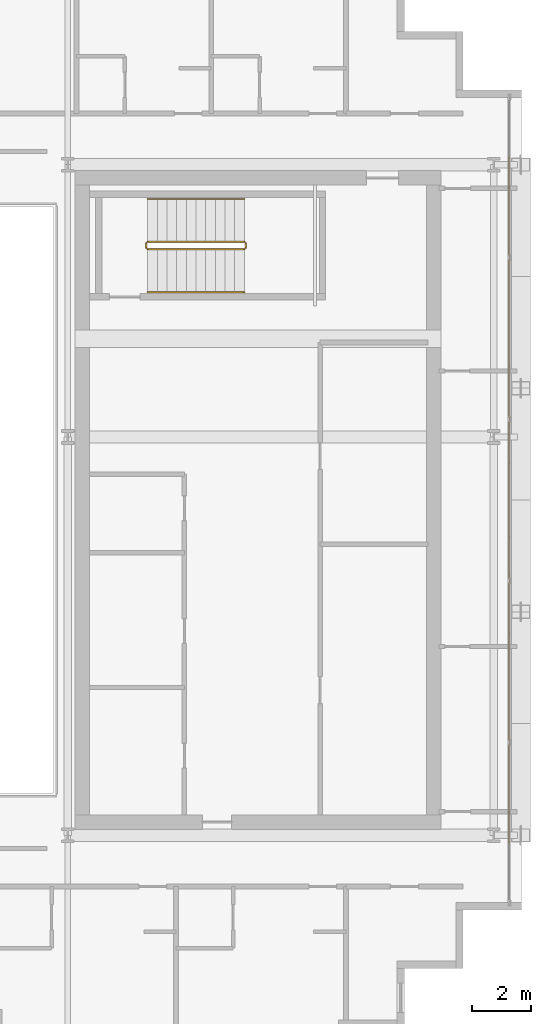
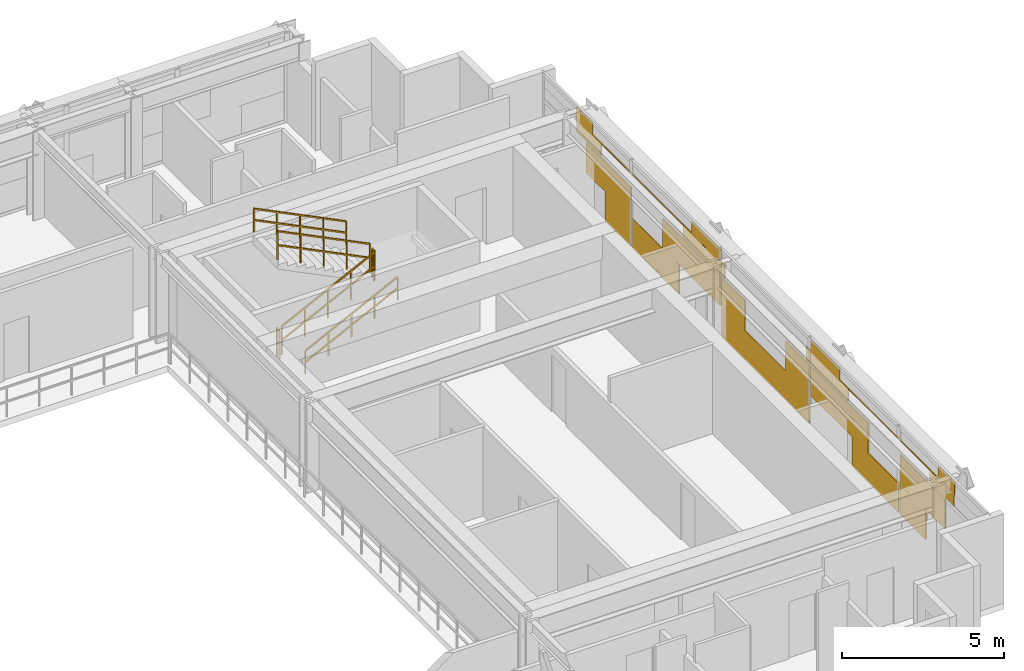
# One storey, part 31 of 32: 6 railings, 1 covering.
"""IFC4 building model written with IfcOpenShell, lengths in metres."""

import ifcopenshell
import ifcopenshell.guid

model = None  # the IFC model being written
_history = None  # IfcOwnerHistory: only IFC2X3 demands one
_inside = {}  # id of a spatial element -> (the spatial element, [elements in it])
_under = {}  # id of a project, library or spatial element -> (it, [spatial elements below it])
_declared = {}  # id of a project -> (the project, [libraries it declares])
_typed = {}  # id of a type object -> (the type object, [elements of that type])
_made_of = {}  # id of a material, layer set ... -> (it, [elements and type objects made of it])


def new_model(schema):
    """Start an empty IFC model of exactly this schema.

    Asked for "IFC4X3", IfcOpenShell would pick the latest addendum, in which some entities
    have other attributes; the version numbers below select the first issue.
    IFC2X3 requires an IfcOwnerHistory on every rooted entity: one is made here for all.
    """
    global model, _history
    if schema == "IFC4X3":
        model = ifcopenshell.file(schema_version=(4, 3, 0, 0))
    else:
        model = ifcopenshell.file(schema=schema)
    _inside.clear()
    _under.clear()
    _declared.clear()
    _typed.clear()
    _made_of.clear()
    _history = None
    if model.schema == "IFC2X3":
        org = make("IfcOrganization", Name="unknown")
        user = make(
            "IfcPersonAndOrganization",
            ThePerson=make("IfcPerson", FamilyName="unknown"),
            TheOrganization=org,
        )
        app = make(
            "IfcApplication",
            ApplicationDeveloper=org,
            Version="unknown",
            ApplicationFullName="unknown",
            ApplicationIdentifier="unknown",
        )
        _history = make(
            "IfcOwnerHistory",
            OwningUser=user,
            OwningApplication=app,
            ChangeAction="ADDED",
            CreationDate=0,
        )
    return model


def make(cls, **values):
    """One entity of the class cls with the attributes given. An attribute that is None is left unset."""
    return model.create_entity(
        cls, **{name: value for name, value in values.items() if value is not None}
    )


def rooted(cls, **values):
    """An entity with a GlobalId (a new one), such as an element, a storey or a relation."""
    return make(cls, GlobalId=ifcopenshell.guid.new(), OwnerHistory=_history, **values)


def si_unit(unit_type, name, prefix=None):
    """IfcSIUnit, for example si_unit("LENGTHUNIT", "METRE", prefix="MILLI")."""
    return make("IfcSIUnit", UnitType=unit_type, Prefix=prefix, Name=name)


def assignment(units):
    """IfcUnitAssignment: the units of a project."""
    return None if units is None else make("IfcUnitAssignment", Units=units)


def point(xyz):
    """IfcCartesianPoint."""
    return None if xyz is None else make("IfcCartesianPoint", Coordinates=xyz)


def direction(xyz):
    """IfcDirection."""
    return None if xyz is None else make("IfcDirection", DirectionRatios=xyz)


def frame(location, z_axis=None, x_axis=None):
    """IfcAxis2Placement3D, a coordinate frame: its origin and axes. An axis left out is left unset."""
    return make(
        "IfcAxis2Placement3D",
        Location=point(location),
        Axis=direction(z_axis),
        RefDirection=direction(x_axis),
    )


def frame_2d(location, x_axis=None):
    """IfcAxis2Placement2D, a coordinate frame in the plane: its origin and x axis."""
    return make(
        "IfcAxis2Placement2D", Location=point(location), RefDirection=direction(x_axis)
    )


def origin():
    """The frame at (0, 0, 0) with its axes left unset."""
    return frame((0.0, 0.0, 0.0))


def origin_2d():
    """The frame at (0, 0) in the plane with its x axis left unset."""
    return frame_2d((0.0, 0.0))


def place(relative_to, where):
    """IfcLocalPlacement: puts the frame where relative to a parent placement (None: the world)."""
    return make(
        "IfcLocalPlacement", PlacementRelTo=relative_to, RelativePlacement=where
    )


def context(
    kind, dimensions, precision=None, world=None, true_north=None, identifier=None
):
    """IfcGeometricRepresentationContext, for example the 3D "Model" context."""
    return make(
        "IfcGeometricRepresentationContext",
        ContextIdentifier=identifier,
        ContextType=kind,
        CoordinateSpaceDimension=dimensions,
        Precision=precision,
        WorldCoordinateSystem=world,
        TrueNorth=true_north,
    )


def subcontext(parent, identifier, kind, view, scale=None):
    """IfcGeometricRepresentationSubContext, for example "Body" below "Model"."""
    return make(
        "IfcGeometricRepresentationSubContext",
        ContextIdentifier=identifier,
        ContextType=kind,
        ParentContext=parent,
        TargetScale=scale,
        TargetView=view,
    )


def project(units=None, contexts=None):
    """IfcProject with its units and contexts."""
    return rooted(
        "IfcProject",
        Name="project",
        RepresentationContexts=contexts,
        UnitsInContext=assignment(units),
    )


def spatial(cls, under=None, at=None, **own):
    """A site, building, storey or space (cls), placed at a placement, below another one or the project."""
    s = rooted(cls, ObjectPlacement=at, **own)
    if under is not None:
        _under.setdefault(under.id(), (under, []))[1].append(s)
    return s


def profile(cls, at=None, kind="AREA", **sizes):
    """A parametric profile (cls). Its sizes go by their IFC names, for example OverallWidth=200.0."""
    return make(cls, ProfileType=kind, Position=at, **sizes)


def rectangle(**sizes):
    """IfcRectangleProfileDef."""
    return profile("IfcRectangleProfileDef", **sizes)


def extrude(swept, where, along, depth):
    """IfcExtrudedAreaSolid: the profile swept, set in the frame where, extruded along a direction by depth."""
    return make(
        "IfcExtrudedAreaSolid",
        SweptArea=swept,
        Position=where,
        ExtrudedDirection=direction(along),
        Depth=depth,
    )


def shape(context_of_items, identifier, shape_type, items):
    """IfcShapeRepresentation: the items that make up one representation, for example the "Body"."""
    return make(
        "IfcShapeRepresentation",
        ContextOfItems=context_of_items,
        RepresentationIdentifier=identifier,
        RepresentationType=shape_type,
        Items=items,
    )


def material(Name=None, Category=None):
    """IfcMaterial."""
    return make("IfcMaterial", Name=Name, Category=Category)


def layer(
    of_material, thickness, ventilated=None, Name=None, Category=None, Priority=None
):
    """IfcMaterialLayer: one layer of a wall or slab, of a material (None: an air gap)."""
    return make(
        "IfcMaterialLayer",
        Material=of_material,
        LayerThickness=thickness,
        IsVentilated=ventilated,
        Name=Name,
        Category=Category,
        Priority=Priority,
    )


def layer_set(layers, Name=None):
    """IfcMaterialLayerSet."""
    return make("IfcMaterialLayerSet", MaterialLayers=layers, LayerSetName=Name)


def made_of(thing, what):
    """Note that an element or type object is made of a material, layer set ...; save() writes the relation."""
    if what is not None:
        _made_of.setdefault(what.id(), (what, []))[1].append(thing)
    return thing


def type_object(cls, material=None, **own):
    """A type object (cls), such as IfcWallType, which elements share."""
    return made_of(rooted(cls, **own), material)


def element(
    cls,
    number,
    at=None,
    inside=None,
    cuts=None,
    type_object=None,
    material=None,
    context=None,
    identifier="Body",
    shape_type=None,
    held_by="IfcProductDefinitionShape",
    body=None,
    shapes=None,
    **own,
):
    """One element of the class cls, such as IfcWall. Its Tag is "e" and its number.

    at: its placement. inside: the storey or other place that contains it. cuts: it is an
    opening in that element (IfcRelVoidsElement). A single representation is given by context,
    identifier, shape_type and body (its items); several are given by shapes. held_by: the class
    of the entity that holds the representations. save() writes the other relations.
    """
    e = rooted(cls, Tag="e%d" % number, ObjectPlacement=at, **own)
    if body is not None:
        shapes = [shape(context, identifier, shape_type, body)]
    if shapes is not None:
        e.Representation = make(held_by, Representations=shapes)
    if inside is not None:
        _inside.setdefault(inside.id(), (inside, []))[1].append(e)
    if cuts is not None:
        rooted(
            "IfcRelVoidsElement", RelatingBuildingElement=cuts, RelatedOpeningElement=e
        )
    if type_object is not None:
        _typed.setdefault(type_object.id(), (type_object, []))[1].append(e)
    return made_of(e, material)


def aggregate(whole, parts):
    """IfcRelAggregates: a whole, such as a stair, and the parts it consists of."""
    return rooted("IfcRelAggregates", RelatingObject=whole, RelatedObjects=parts)


def save(model, path):
    """Write the relations noted so far, then the file.

    IfcRelAggregates (storeys below a building ...), IfcRelContainedInSpatialStructure (elements
    in a storey), IfcRelDefinesByType, IfcRelAssociatesMaterial and IfcRelDeclares: one each for
    every whole, place, type object, material and project.
    """
    for whole, parts in _under.values():
        aggregate(whole, parts)
    for where, things in _inside.values():
        rooted(
            "IfcRelContainedInSpatialStructure",
            RelatedElements=things,
            RelatingStructure=where,
        )
    for kind, things in _typed.values():
        rooted("IfcRelDefinesByType", RelatedObjects=things, RelatingType=kind)
    for what, things in _made_of.values():
        rooted("IfcRelAssociatesMaterial", RelatedObjects=things, RelatingMaterial=what)
    for by, libraries in _declared.values():
        rooted("IfcRelDeclares", RelatingContext=by, RelatedDefinitions=libraries)
    model.write(path)


model = new_model("IFC4")

# Units and contexts
model_context = context("Model", 3, precision=1e-05, world=origin(), true_north=direction((0.0, 1.0)))
body_context = subcontext(model_context, "Body", "Model", "MODEL_VIEW")
ifc_project = project(units=[si_unit("LENGTHUNIT", "METRE"), si_unit("AREAUNIT", "SQUARE_METRE"), si_unit("VOLUMEUNIT", "CUBIC_METRE"), si_unit("PLANEANGLEUNIT", "RADIAN"), si_unit("MASSUNIT", "GRAM", prefix="KILO")], contexts=[model_context])

# Site, building, storey
site_placement = place(None, origin())
site = spatial("IfcSite", under=ifc_project, at=site_placement, CompositionType="ELEMENT")
building_placement = place(site_placement, origin())
building = spatial("IfcBuilding", under=site, at=building_placement, Name="Ocotamira Hotel", CompositionType="ELEMENT")
storey_placement = place(building_placement, frame((0.0, 0.0, 177.60009765625)))
storey = spatial("IfcBuildingStorey", under=building, at=storey_placement, Name="L44", CompositionType="ELEMENT", Elevation=177.60009765625)

# Covering
ifc_material_1 = material(Name="Insulated pale-metal aluminium spandrel panel", Category="aluminium")
ifc_layer = layer(ifc_material_1, 0.044921875)
ifc_layer_set = layer_set([ifc_layer], Name="Insulated pale-metal aluminium spandrel panel")
covering_type = type_object("IfcCoveringType", Name="COV-INFILL-45", PredefinedType="CLADDING", material=ifc_layer_set)
covering_placement = place(storey_placement, origin())
element("IfcCovering", 1, at=covering_placement, inside=storey, type_object=covering_type, Name="L44 Curtain Wall Infill CW-4 CW-L44-E", PredefinedType="CLADDING", context=body_context, shape_type="SweptSolid", body=[
    extrude(rectangle(XDim=2.782958984375, YDim=0.044921875, at=origin_2d()), frame((55.580078125, 16.2880859375, 1.19384765625), z_axis=(0.0, 0.0, 1.0), x_axis=(0.0, 1.0, 0.0)), (0.0, 0.0, 1.0), 1.117919921875),
    extrude(rectangle(XDim=1.596923828125, YDim=0.044921875, at=origin_2d()), frame((55.580078125, 16.881103515625, 0.075439453125), z_axis=(0.0, 0.0, 1.0), x_axis=(0.0, 1.0, 0.0)), (0.0, 0.0, 1.0), 1.11767578125),
    extrude(rectangle(XDim=3.38720703125, YDim=0.044921875, at=origin_2d()), frame((55.580078125, 15.98583984375, 2.8486328125), z_axis=(0.0, 0.0, 1.0), x_axis=(0.0, 1.0, 0.0)), (0.0, 0.0, 1.0), 0.033203125),
    extrude(rectangle(XDim=1.019287109375, YDim=0.044921875, at=origin_2d()), frame((55.580078125, 14.8017578125, 2.8828125), z_axis=(0.0, 0.0, 1.0), x_axis=(0.0, 1.0, 0.0)), (0.0, 0.0, 1.0), 0.41162109375),
    extrude(rectangle(XDim=1.507568359375, YDim=0.044921875, at=origin_2d()), frame((55.580078125, 15.082275390625, 2.38818359375), z_axis=(0.0, 0.0, 1.0), x_axis=(0.0, 1.0, 0.0)), (0.0, 0.0, 1.0), 0.459716796875),
    extrude(rectangle(XDim=2.89013671875, YDim=0.044921875, at=origin_2d()), frame((55.580078125, 19.20556640625, 0.075439453125), z_axis=(0.0, 0.0, 1.0), x_axis=(0.0, 1.0, 0.0)), (0.0, 0.0, 1.0), 1.11767578125),
    extrude(rectangle(XDim=3.568115234375, YDim=0.044921875, at=origin_2d()), frame((55.580078125, 21.41552734375, 1.19384765625), z_axis=(0.0, 0.0, 1.0), x_axis=(0.0, 1.0, 0.0)), (0.0, 0.0, 1.0), 1.117919921875),
    extrude(rectangle(XDim=5.43896484375, YDim=0.044921875, at=origin_2d()), frame((55.580078125, 20.47998046875, 2.8486328125), z_axis=(0.0, 0.0, 1.0), x_axis=(0.0, 1.0, 0.0)), (0.0, 0.0, 1.0), 0.033203125),
    extrude(rectangle(XDim=2.302490234375, YDim=0.044921875, at=origin_2d()), frame((55.580078125, 22.04833984375, 2.38818359375), z_axis=(0.0, 0.0, 1.0), x_axis=(0.0, 1.0, 0.0)), (0.0, 0.0, 1.0), 0.459716796875),
    extrude(rectangle(XDim=1.777587890625, YDim=0.044921875, at=origin_2d()), frame((55.580078125, 22.310791015625, 2.8828125), z_axis=(0.0, 0.0, 1.0), x_axis=(0.0, 1.0, 0.0)), (0.0, 0.0, 1.0), 0.41162109375),
    extrude(rectangle(XDim=5.43896484375, YDim=0.044921875, at=origin_2d()), frame((55.580078125, 26.0, 0.075439453125), z_axis=(0.0, 0.0, 1.0), x_axis=(0.0, 1.0, 0.0)), (0.0, 0.0, 1.0), 1.11767578125),
    extrude(rectangle(XDim=1.45458984375, YDim=0.044921875, at=origin_2d()), frame((55.580078125, 24.0078125, 1.19384765625), z_axis=(0.0, 0.0, 1.0), x_axis=(0.0, 1.0, 0.0)), (0.0, 0.0, 1.0), 1.117919921875),
    extrude(rectangle(XDim=1.45458984375, YDim=0.044921875, at=origin_2d()), frame((55.580078125, 27.9921875, 1.19384765625), z_axis=(0.0, 0.0, 1.0), x_axis=(0.0, 1.0, 0.0)), (0.0, 0.0, 1.0), 1.117919921875),
    extrude(rectangle(XDim=0.18896484375, YDim=0.044921875, at=origin_2d()), frame((55.580078125, 23.375, 2.38818359375), z_axis=(0.0, 0.0, 1.0), x_axis=(0.0, 1.0, 0.0)), (0.0, 0.0, 1.0), 0.493896484375),
    extrude(rectangle(XDim=0.18896484375, YDim=0.044921875, at=origin_2d()), frame((55.580078125, 28.625, 2.38818359375), z_axis=(0.0, 0.0, 1.0), x_axis=(0.0, 1.0, 0.0)), (0.0, 0.0, 1.0), 0.493896484375),
    extrude(rectangle(XDim=3.568115234375, YDim=0.044921875, at=origin_2d()), frame((55.580078125, 30.58447265625, 1.19384765625), z_axis=(0.0, 0.0, 1.0), x_axis=(0.0, 1.0, 0.0)), (0.0, 0.0, 1.0), 1.117919921875),
    extrude(rectangle(XDim=2.89013671875, YDim=0.044921875, at=origin_2d()), frame((55.580078125, 32.79443359375, 0.075439453125), z_axis=(0.0, 0.0, 1.0), x_axis=(0.0, 1.0, 0.0)), (0.0, 0.0, 1.0), 1.11767578125),
    extrude(rectangle(XDim=2.302490234375, YDim=0.044921875, at=origin_2d()), frame((55.580078125, 29.95166015625, 2.38818359375), z_axis=(0.0, 0.0, 1.0), x_axis=(0.0, 1.0, 0.0)), (0.0, 0.0, 1.0), 0.459716796875),
    extrude(rectangle(XDim=5.43896484375, YDim=0.044921875, at=origin_2d()), frame((55.580078125, 31.52001953125, 2.8486328125), z_axis=(0.0, 0.0, 1.0), x_axis=(0.0, 1.0, 0.0)), (0.0, 0.0, 1.0), 0.033203125),
    extrude(rectangle(XDim=1.777587890625, YDim=0.044921875, at=origin_2d()), frame((55.580078125, 29.689208984375, 2.8828125), z_axis=(0.0, 0.0, 1.0), x_axis=(0.0, 1.0, 0.0)), (0.0, 0.0, 1.0), 0.41162109375),
    extrude(rectangle(XDim=1.596923828125, YDim=0.044921875, at=origin_2d()), frame((55.580078125, 35.118896484375, 0.075439453125), z_axis=(0.0, 0.0, 1.0), x_axis=(0.0, 1.0, 0.0)), (0.0, 0.0, 1.0), 1.11767578125),
    extrude(rectangle(XDim=2.782958984375, YDim=0.044921875, at=origin_2d()), frame((55.580078125, 35.7119140625, 1.19384765625), z_axis=(0.0, 0.0, 1.0), x_axis=(0.0, 1.0, 0.0)), (0.0, 0.0, 1.0), 1.117919921875),
    extrude(rectangle(XDim=3.38720703125, YDim=0.044921875, at=origin_2d()), frame((55.580078125, 36.01416015625, 2.8486328125), z_axis=(0.0, 0.0, 1.0), x_axis=(0.0, 1.0, 0.0)), (0.0, 0.0, 1.0), 0.033203125),
    extrude(rectangle(XDim=1.507568359375, YDim=0.044921875, at=origin_2d()), frame((55.580078125, 36.917724609375, 2.38818359375), z_axis=(0.0, 0.0, 1.0), x_axis=(0.0, 1.0, 0.0)), (0.0, 0.0, 1.0), 0.459716796875),
    extrude(rectangle(XDim=1.019287109375, YDim=0.044921875, at=origin_2d()), frame((55.580078125, 37.1982421875, 2.8828125), z_axis=(0.0, 0.0, 1.0), x_axis=(0.0, 1.0, 0.0)), (0.0, 0.0, 1.0), 0.41162109375),
])

# Railings
ifc_material_2 = material(Name="Brushed stainless steel handrail", Category="steel")
railing_type_1 = type_object("IfcRailingType", Name="RL-HAND-900", PredefinedType="HANDRAIL", material=ifc_material_2)
railing_1_placement = place(storey_placement, frame((43.22998046875, 33.10009765625, 0.3271484375)))
element("IfcRailing", 2, at=railing_1_placement, inside=storey, type_object=railing_type_1, Name="L44 ST-4 stair handrail 1", PredefinedType="HANDRAIL", context=body_context, shape_type="SweptSolid", body=[
    extrude(rectangle(XDim=0.048095703125, YDim=0.048095703125, at=origin_2d()), frame((0.0, 0.0, 0.8759765625), z_axis=(0.895893744519, 0.0, 0.4442683857), x_axis=(0.0, 1.0, 0.0)), (0.0, 0.0, 1.0), 3.68359375),
    extrude(rectangle(XDim=0.048095703125, YDim=0.048095703125, at=origin_2d()), frame((0.0, 0.0, 0.449951171875), z_axis=(0.895893744519, 0.0, 0.4442683857), x_axis=(0.0, 1.0, 0.0)), (0.0, 0.0, 1.0), 3.68359375),
    extrude(rectangle(XDim=0.0419921875, YDim=0.0419921875, at=origin_2d()), origin(), (0.0, 0.0, 1.0), 0.851806640625),
    extrude(rectangle(XDim=0.0419921875, YDim=0.0419921875, at=origin_2d()), frame((0.824951171875, 0.0, 0.4091796875)), (0.0, 0.0, 1.0), 0.851806640625),
    extrude(rectangle(XDim=0.0419921875, YDim=0.0419921875, at=origin_2d()), frame((1.64990234375, 0.0, 0.818359375)), (0.0, 0.0, 1.0), 0.851806640625),
    extrude(rectangle(XDim=0.0419921875, YDim=0.0419921875, at=origin_2d()), frame((2.47509765625, 0.0, 1.227294921875)), (0.0, 0.0, 1.0), 0.851806640625),
    extrude(rectangle(XDim=0.0419921875, YDim=0.0419921875, at=origin_2d()), frame((3.300048828125, 0.0, 1.636474609375)), (0.0, 0.0, 1.0), 0.851806640625),
])
railing_2_placement = place(storey_placement, frame((46.530029296875, 36.280029296875, 2.127197265625)))
element("IfcRailing", 3, at=railing_2_placement, inside=storey, type_object=railing_type_1, Name="L44 ST-4 stair handrail 2", PredefinedType="HANDRAIL", context=body_context, shape_type="SweptSolid", body=[
    extrude(rectangle(XDim=0.048095703125, YDim=0.048095703125, at=origin_2d()), frame((0.0, 0.0, 0.8759765625), z_axis=(-0.895920123917, 0.0, 0.444215186098), x_axis=(0.0, -1.0, 0.0)), (0.0, 0.0, 1.0), 3.683349609375),
    extrude(rectangle(XDim=0.048095703125, YDim=0.048095703125, at=origin_2d()), frame((0.0, 0.0, 0.449951171875), z_axis=(-0.895920123917, 0.0, 0.444215186098), x_axis=(0.0, -1.0, 0.0)), (0.0, 0.0, 1.0), 3.683349609375),
    extrude(rectangle(XDim=0.0419921875, YDim=0.0419921875, at=origin_2d()), origin(), (0.0, 0.0, 1.0), 0.851806640625),
    extrude(rectangle(XDim=0.0419921875, YDim=0.0419921875, at=origin_2d()), frame((-0.824951171875, 0.0, 0.4091796875)), (0.0, 0.0, 1.0), 0.851806640625),
    extrude(rectangle(XDim=0.0419921875, YDim=0.0419921875, at=origin_2d()), frame((-1.64990234375, 0.0, 0.818115234375)), (0.0, 0.0, 1.0), 0.851806640625),
    extrude(rectangle(XDim=0.0419921875, YDim=0.0419921875, at=origin_2d()), frame((-2.47509765625, 0.0, 1.22705078125)), (0.0, 0.0, 1.0), 0.851806640625),
    extrude(rectangle(XDim=0.0419921875, YDim=0.0419921875, at=origin_2d()), frame((-3.300048828125, 0.0, 1.63623046875)), (0.0, 0.0, 1.0), 0.851806640625),
])
ifc_material_3 = material(Name="Painted steel stair guardrail", Category="steel")
railing_type_2 = type_object("IfcRailingType", Name="RL-STAIR-1100", PredefinedType="GUARDRAIL", material=ifc_material_3)
railing_3_placement = place(storey_placement, frame((43.22998046875, 34.56005859375, 0.16357421875)))
element("IfcRailing", 4, at=railing_3_placement, inside=storey, type_object=railing_type_2, Name="L44 ST-4 stair guard 1", PredefinedType="GUARDRAIL", context=body_context, shape_type="SweptSolid", body=[
    extrude(rectangle(XDim=0.048095703125, YDim=0.048095703125, at=origin_2d()), frame((0.0, 0.0, 1.076171875), z_axis=(0.895920123917, 0.0, 0.444215186098), x_axis=(0.0, 1.0, 0.0)), (0.0, 0.0, 1.0), 3.683349609375),
    extrude(rectangle(XDim=0.048095703125, YDim=0.048095703125, at=origin_2d()), frame((0.0, 0.0, 0.550048828125), z_axis=(0.895920123917, 0.0, 0.444215186098), x_axis=(0.0, 1.0, 0.0)), (0.0, 0.0, 1.0), 3.683349609375),
    extrude(rectangle(XDim=0.0419921875, YDim=0.0419921875, at=origin_2d()), origin(), (0.0, 0.0, 1.0), 1.052001953125),
    extrude(rectangle(XDim=0.0419921875, YDim=0.0419921875, at=origin_2d()), frame((0.824951171875, 0.0, 0.4091796875)), (0.0, 0.0, 1.0), 1.052001953125),
    extrude(rectangle(XDim=0.0419921875, YDim=0.0419921875, at=origin_2d()), frame((1.64990234375, 0.0, 0.818115234375)), (0.0, 0.0, 1.0), 1.052001953125),
    extrude(rectangle(XDim=0.0419921875, YDim=0.0419921875, at=origin_2d()), frame((2.47509765625, 0.0, 1.22705078125)), (0.0, 0.0, 1.0), 1.052001953125),
    extrude(rectangle(XDim=0.0419921875, YDim=0.0419921875, at=origin_2d()), frame((3.300048828125, 0.0, 1.63623046875)), (0.0, 0.0, 1.0), 1.052001953125),
])
railing_4_placement = place(storey_placement, frame((46.580078125, 34.610107421875, 1.7998046875)))
element("IfcRailing", 5, at=railing_4_placement, inside=storey, type_object=railing_type_2, Name="L44 ST-4 stair guard 2", PredefinedType="GUARDRAIL", context=body_context, shape_type="SweptSolid", body=[
    extrude(rectangle(XDim=0.048095703125, YDim=0.048095703125, at=origin_2d()), frame((0.0, 0.0, 1.076171875), z_axis=(0.0, 1.0, 0.0), x_axis=(-1.0, 0.0, 0.0)), (0.0, 0.0, 1.0), 0.159912109375),
    extrude(rectangle(XDim=0.048095703125, YDim=0.048095703125, at=origin_2d()), frame((0.0, 0.0, 0.550048828125), z_axis=(0.0, 1.0, 0.0), x_axis=(-1.0, 0.0, 0.0)), (0.0, 0.0, 1.0), 0.159912109375),
    extrude(rectangle(XDim=0.0419921875, YDim=0.0419921875, at=origin_2d()), origin(), (0.0, 0.0, 1.0), 1.052001953125),
    extrude(rectangle(XDim=0.0419921875, YDim=0.0419921875, at=origin_2d()), frame((0.0, 0.159912109375, 0.0)), (0.0, 0.0, 1.0), 1.052001953125),
])
railing_5_placement = place(storey_placement, frame((46.530029296875, 34.820068359375, 1.963623046875)))
element("IfcRailing", 6, at=railing_5_placement, inside=storey, type_object=railing_type_2, Name="L44 ST-4 stair guard 3", PredefinedType="GUARDRAIL", context=body_context, shape_type="SweptSolid", body=[
    extrude(rectangle(XDim=0.048095703125, YDim=0.048095703125, at=origin_2d()), frame((0.0, 0.0, 1.076171875), z_axis=(-0.895920123917, 0.0, 0.444215186098), x_axis=(0.0, -1.0, 0.0)), (0.0, 0.0, 1.0), 3.683349609375),
    extrude(rectangle(XDim=0.048095703125, YDim=0.048095703125, at=origin_2d()), frame((0.0, 0.0, 0.550048828125), z_axis=(-0.895920123917, 0.0, 0.444215186098), x_axis=(0.0, -1.0, 0.0)), (0.0, 0.0, 1.0), 3.683349609375),
    extrude(rectangle(XDim=0.0419921875, YDim=0.0419921875, at=origin_2d()), origin(), (0.0, 0.0, 1.0), 1.052001953125),
    extrude(rectangle(XDim=0.0419921875, YDim=0.0419921875, at=origin_2d()), frame((-0.824951171875, 0.0, 0.4091796875)), (0.0, 0.0, 1.0), 1.052001953125),
    extrude(rectangle(XDim=0.0419921875, YDim=0.0419921875, at=origin_2d()), frame((-1.64990234375, 0.0, 0.818115234375)), (0.0, 0.0, 1.0), 1.052001953125),
    extrude(rectangle(XDim=0.0419921875, YDim=0.0419921875, at=origin_2d()), frame((-2.47509765625, 0.0, 1.22705078125)), (0.0, 0.0, 1.0), 1.052001953125),
    extrude(rectangle(XDim=0.0419921875, YDim=0.0419921875, at=origin_2d()), frame((-3.300048828125, 0.0, 1.63623046875)), (0.0, 0.0, 1.0), 1.052001953125),
])
railing_6_placement = place(storey_placement, frame((43.179931640625, 34.610107421875, 0.0)))
element("IfcRailing", 7, at=railing_6_placement, inside=storey, type_object=railing_type_2, Name="L44 ST-4 stair guard 4", PredefinedType="GUARDRAIL", context=body_context, shape_type="SweptSolid", body=[
    extrude(rectangle(XDim=0.048095703125, YDim=0.048095703125, at=origin_2d()), frame((0.0, 0.0, 1.076171875), z_axis=(0.0, 1.0, 0.0), x_axis=(-1.0, 0.0, 0.0)), (0.0, 0.0, 1.0), 0.159912109375),
    extrude(rectangle(XDim=0.048095703125, YDim=0.048095703125, at=origin_2d()), frame((0.0, 0.0, 0.550048828125), z_axis=(0.0, 1.0, 0.0), x_axis=(-1.0, 0.0, 0.0)), (0.0, 0.0, 1.0), 0.159912109375),
    extrude(rectangle(XDim=0.0419921875, YDim=0.0419921875, at=origin_2d()), origin(), (0.0, 0.0, 1.0), 1.052001953125),
    extrude(rectangle(XDim=0.0419921875, YDim=0.0419921875, at=origin_2d()), frame((0.0, 0.159912109375, 0.0)), (0.0, 0.0, 1.0), 1.052001953125),
])

save(model, "model.ifc")
